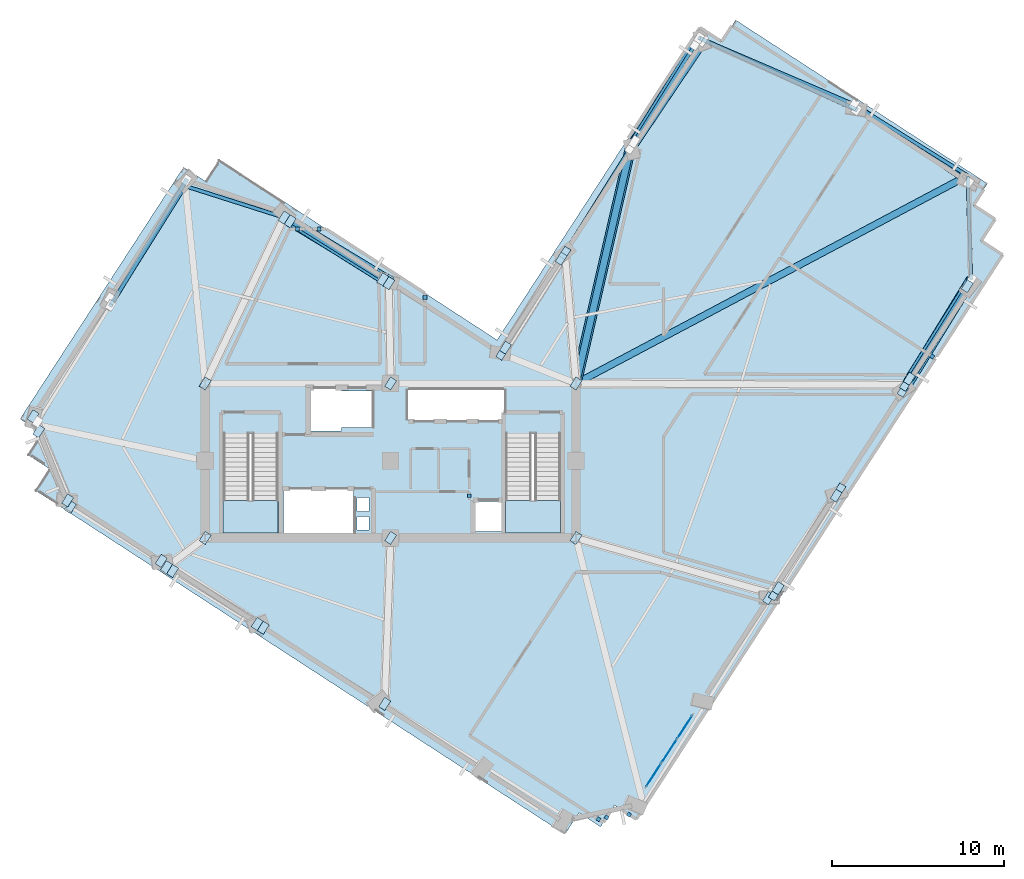
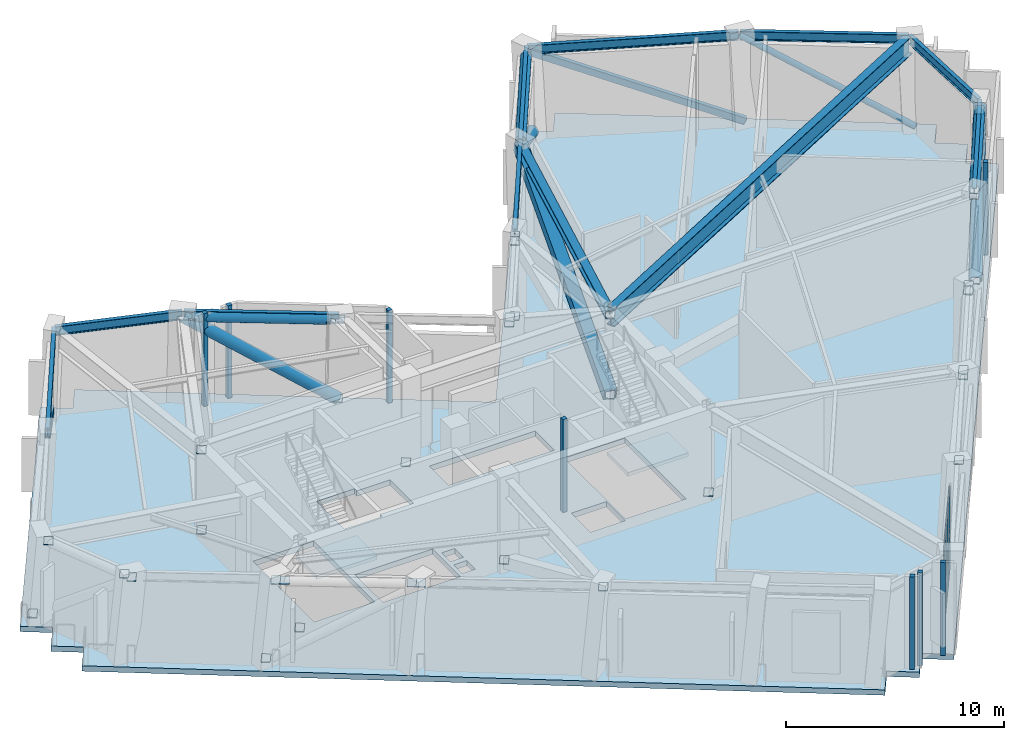
# One storey, part 3 of 11: 51 plates, 11 members, 10 beams, 3 slabs, 3 elements without a shape of their own.
"""IFC4 building model written with IfcOpenShell, lengths in metres."""

from ifc_helpers import new_model, si_unit, direction, frame, origin, origin_2d, place, context, subcontext, project, spatial, polyline, rectangle, hollow_rectangle, hollow_circle, i_section, outline, extrude, material, layer, layer_set, material_profile, profile_set, type_object, element, aggregate, save


model = new_model("IFC4")

# Units and contexts
model_context = context("Model", 3, precision=1e-05, world=origin(), true_north=direction((0.0, 1.0)))
body_context = subcontext(model_context, "Body", "Model", "MODEL_VIEW")
ifc_project = project(units=[si_unit("LENGTHUNIT", "METRE"), si_unit("AREAUNIT", "SQUARE_METRE"), si_unit("VOLUMEUNIT", "CUBIC_METRE"), si_unit("PLANEANGLEUNIT", "RADIAN"), si_unit("MASSUNIT", "GRAM", prefix="KILO")], contexts=[model_context])

# Site, building, storey
site_placement = place(None, origin())
site = spatial("IfcSite", under=ifc_project, at=site_placement, CompositionType="ELEMENT")
building_placement = place(site_placement, origin())
building = spatial("IfcBuilding", under=site, at=building_placement, Name="Gaonmaruhae Medical Tower", CompositionType="ELEMENT")
storey_placement = place(building_placement, frame((0.0, 0.0, 267.199951171875)))
storey = spatial("IfcBuildingStorey", under=building, at=storey_placement, Name="L64", CompositionType="ELEMENT", Elevation=267.199951171875)

# Beam
ifc_material_1 = material(Name="Steel SM420", Category="steel")
ifc_material_profile_1 = material_profile(ifc_material_1, i_section(OverallWidth=0.39990234375, OverallDepth=1.0, WebThickness=0.02197265625, FlangeThickness=0.035888671875, at=origin_2d()), Name="BH-1000x400x22x36")
ifc_profile_set_1 = profile_set([ifc_material_profile_1], Name="Steel SM420")
beam_type_1 = type_object("IfcBeamType", Name="BG-02 Refuge Floor Primary Girder (BH-1000x400x22x36)", PredefinedType="BEAM", material=ifc_profile_set_1)
beam_1_placement = place(storey_placement, frame((35.64404296875, 16.823486328125, 4.679931640625), z_axis=(0.883273796423, 0.468857548251, 0.0), x_axis=(-0.468857548251, 0.883273796423, 0.0)))
element("IfcBeam", 1, at=beam_1_placement, inside=storey, type_object=beam_type_1, Name="L64 Radial Primary Girder E01", PredefinedType="BEAM", context=body_context, shape_type="SweptSolid", body=[
    extrude(i_section(OverallWidth=0.39990234375, OverallDepth=1.0, WebThickness=0.02197265625, FlangeThickness=0.035888671875, at=origin_2d()), origin(), (0.0, 0.0, 1.0), 25.7275390625),
])

# Members
ifc_material_2 = material(Name="Steel HSA650 (650 MPa)", Category="steel")
ifc_material_profile_2 = material_profile(ifc_material_2, hollow_circle(Radius=0.25390625, WallThickness=0.01611328125, at=origin_2d()), Name="CHS-508.0x16.0")
ifc_profile_set_2 = profile_set([ifc_material_profile_2], Name="Steel HSA650 (650 MPa)")
member_type_1 = type_object("IfcMemberType", Name="BT-C1 Belt Truss Perimeter Chord (CHS-508.0x16.0)", PredefinedType="CHORD", material=ifc_profile_set_2)
member_1_placement = place(storey_placement, frame((55.0166015625, 17.078125, 4.830078125), z_axis=(0.530661276733, 0.847583983671, 0.0), x_axis=(-0.847583983671, 0.530661276733, 0.0)))
element("IfcMember", 2, at=member_1_placement, inside=storey, type_object=member_type_1, Name="L64 Belt Truss Top Chord BTC02", PredefinedType="CHORD", context=body_context, shape_type="SweptSolid", body=[
    extrude(hollow_circle(Radius=0.25390625, WallThickness=0.01611328125, at=origin_2d()), origin(), (0.0, 0.0, 1.0), 6.360107421875),
])
member_2_placement = place(storey_placement, frame((42.560791015625, 36.568603515625, 4.830078125), z_axis=(-0.53064309286, -0.847595368086, 0.0), x_axis=(0.847595368086, -0.53064309286, 0.0)))
element("IfcMember", 3, at=member_2_placement, inside=storey, type_object=member_type_1, Name="L64 Belt Truss Top Chord BTC03", PredefinedType="CHORD", context=body_context, shape_type="SweptSolid", body=[
    extrude(hollow_circle(Radius=0.25390625, WallThickness=0.01611328125, at=origin_2d()), origin(), (0.0, 0.0, 1.0), 6.7099609375),
])
member_3_placement = place(storey_placement, frame((24.34375, 22.867431640625, 4.830078125), z_axis=(-0.847583983671, 0.530661276733, 0.0), x_axis=(-0.530661276733, -0.847583983671, 0.0)))
element("IfcMember", 4, at=member_3_placement, inside=storey, type_object=member_type_1, Name="L64 Belt Truss Top Chord BTC05", PredefinedType="CHORD", context=body_context, shape_type="SweptSolid", body=[
    extrude(hollow_circle(Radius=0.25390625, WallThickness=0.01611328125, at=origin_2d()), origin(), (0.0, 0.0, 1.0), 6.360107421875),
])
ifc_material_profile_3 = material_profile(ifc_material_2, hollow_circle(Radius=0.3046875, WallThickness=0.02197265625, at=origin_2d()), Name="CHS-609.6x22.0")
ifc_profile_set_3 = profile_set([ifc_material_profile_3], Name="Steel HSA650 (650 MPa)")
member_type_2 = type_object("IfcMemberType", Name="BT-D2 Belt Truss Diagonal Tubular (CHS-609.6x22.0)", PredefinedType="BRACE", material=ifc_profile_set_3)
member_4_placement = place(storey_placement, frame((54.65673828125, 16.371826171875, 0.35009765625), z_axis=(0.449938259019, 0.733595590903, 0.509306461847), x_axis=(-0.852438050722, 0.52282824109, 0.0)))
element("IfcMember", 5, at=member_4_placement, inside=storey, type_object=member_type_2, Name="L64 Belt Truss Diagonal BTD02", PredefinedType="BRACE", context=body_context, shape_type="SweptSolid", body=[
    extrude(hollow_circle(Radius=0.3046875, WallThickness=0.02197265625, at=origin_2d()), origin(), (0.0, 0.0, 1.0), 8.796142578125),
])
member_5_placement = place(storey_placement, frame((42.9833984375, 36.7705078125, 0.35009765625), z_axis=(-0.48005547089, -0.712810482984, 0.51131982185), x_axis=(0.829437233693, -0.558599924243, 0.0)))
element("IfcMember", 6, at=member_5_placement, inside=storey, type_object=member_type_2, Name="L64 Belt Truss Diagonal BTD03", PredefinedType="BRACE", context=body_context, shape_type="SweptSolid", body=[
    extrude(hollow_circle(Radius=0.3046875, WallThickness=0.02197265625, at=origin_2d()), origin(), (0.0, 0.0, 1.0), 8.76171875),
])
member_6_placement = place(storey_placement, frame((24.6650390625, 22.79248046875, 0.35009765625), z_axis=(-0.723307139701, 0.437796524227, 0.534004667613), x_axis=(-0.517807319841, -0.855497270317, 0.0)))
element("IfcMember", 7, at=member_6_placement, inside=storey, type_object=member_type_2, Name="L64 Belt Truss Diagonal BTD05", PredefinedType="BRACE", context=body_context, shape_type="SweptSolid", body=[
    extrude(hollow_circle(Radius=0.3046875, WallThickness=0.02197265625, at=origin_2d()), origin(), (0.0, 0.0, 1.0), 8.389404296875),
])
ifc_material_profile_4 = material_profile(ifc_material_2, i_section(OverallWidth=0.4169921875, OverallDepth=0.4580078125, WebThickness=0.030029296875, FlangeThickness=0.050048828125, FilletRadius=0.02197265625, at=origin_2d()), Name="H-458x417x30x50")
ifc_profile_set_4 = profile_set([ifc_material_profile_4], Name="Steel HSA650 (650 MPa)")
member_type_3 = type_object("IfcMemberType", Name="OT-C1 Outrigger Truss Chord (H-458x417x30x50)", PredefinedType="CHORD", material=ifc_profile_set_4)
member_7_placement = place(storey_placement, frame((35.60009765625, 16.800048828125, 4.830078125), z_axis=(0.225527715239, 0.974236752365, 0.0), x_axis=(-0.974236752365, 0.225527715239, 0.0)))
element("IfcMember", 8, at=member_7_placement, inside=storey, type_object=member_type_3, Name="L64 Outrigger Truss Chord OTC03", PredefinedType="CHORD", context=body_context, shape_type="SweptSolid", body=[
    extrude(i_section(OverallWidth=0.4169921875, OverallDepth=0.4580078125, WebThickness=0.030029296875, FlangeThickness=0.050048828125, FilletRadius=0.02197265625, at=origin_2d()), origin(), (0.0, 0.0, 1.0), 14.088134765625),
])
ifc_material_profile_5 = material_profile(ifc_material_2, hollow_rectangle(XDim=0.60009765625, YDim=0.60009765625, WallThickness=0.028076171875, at=origin_2d()), Name="RHS-600x600x28")
ifc_profile_set_5 = profile_set([ifc_material_profile_5], Name="Steel HSA650 (650 MPa)")
member_type_4 = type_object("IfcMemberType", Name="OT-D2 Outrigger Truss Diagonal Upper (RHS-600x600x28)", PredefinedType="BRACE", material=ifc_profile_set_5)
member_8_placement = place(storey_placement, frame((35.60009765625, 16.800048828125, 0.35009765625), z_axis=(0.214922549392, 0.928424456872, 0.30304508847), x_axis=(-0.974236752365, 0.225527715239, 0.0)))
element("IfcMember", 9, at=member_8_placement, inside=storey, type_object=member_type_4, Name="L64 Outrigger Truss Diagonal OTD03", PredefinedType="BRACE", context=body_context, shape_type="SweptSolid", body=[
    extrude(hollow_rectangle(XDim=0.60009765625, YDim=0.60009765625, WallThickness=0.028076171875, at=origin_2d()), origin(), (0.0, 0.0, 1.0), 14.783203125),
])
ifc_material_3 = material(Name="Steel SM355", Category="steel")
ifc_material_profile_6 = material_profile(ifc_material_3, hollow_circle(Radius=0.1591796875, WallThickness=0.01025390625, at=origin_2d()), Name="CHS-318.5x10.3")
ifc_profile_set_6 = profile_set([ifc_material_profile_6], Name="Steel SM355")
member_type_5 = type_object("IfcMemberType", Name="PB-03 Perimeter Solid-Bay Tube Brace Upper (CHS-318.5x10.3)", PredefinedType="BRACE", material=ifc_profile_set_6)
member_9_placement = place(storey_placement, frame((58.477294921875, 28.497314453125, 0.25), z_axis=(-0.714984737529, 0.487428980691, 0.501208353764), x_axis=(-0.56328900636, -0.826259944154, 0.0)))
element("IfcMember", 10, at=member_9_placement, inside=storey, type_object=member_type_5, Name="L64 Perimeter Tube Solid-Bay Brace E01-E02", PredefinedType="BRACE", context=body_context, shape_type="SweptSolid", body=[
    extrude(hollow_circle(Radius=0.1591796875, WallThickness=0.01025390625, at=origin_2d()), origin(), (0.0, 0.0, 1.0), 9.33740234375),
])

# Beams
ifc_material_profile_7 = material_profile(ifc_material_3, i_section(OverallWidth=0.199951171875, OverallDepth=0.5, WebThickness=0.010009765625, FlangeThickness=0.01611328125, FilletRadius=0.012939453125, at=origin_2d()), Name="H-500x200x10x16")
ifc_profile_set_7 = profile_set([ifc_material_profile_7], Name="Steel SM355")
beam_type_2 = type_object("IfcBeamType", Name="SP-02 Upper Perimeter Spandrel Beam (H-500x200x10x16)", PredefinedType="SPANDREL", material=ifc_profile_set_7)
beam_2_placement = place(storey_placement, frame((54.81494140625, 16.756103515625, 4.929931640625), z_axis=(0.530655279093, 0.847587738686, 0.0), x_axis=(-0.847587738686, 0.530655279093, 0.0)))
element("IfcBeam", 11, at=beam_2_placement, inside=storey, type_object=beam_type_2, Name="L64 Perimeter Spandrel Beam S05-S06", PredefinedType="SPANDREL", context=body_context, shape_type="SweptSolid", body=[
    extrude(i_section(OverallWidth=0.199951171875, OverallDepth=0.5, WebThickness=0.010009765625, FlangeThickness=0.01611328125, FilletRadius=0.012939453125, at=origin_2d()), origin(), (0.0, 0.0, 1.0), 7.1201171875),
])
beam_3_placement = place(storey_placement, frame((58.613037109375, 22.86474609375, 4.929931640625), z_axis=(-0.03315923019, 0.999450081521, 0.0), x_axis=(-0.999450081521, -0.03315923019, 0.0)))
element("IfcBeam", 12, at=beam_3_placement, inside=storey, type_object=beam_type_2, Name="L64 Perimeter Spandrel Beam S06-E01", PredefinedType="SPANDREL", context=body_context, shape_type="SweptSolid", body=[
    extrude(i_section(OverallWidth=0.199951171875, OverallDepth=0.5, WebThickness=0.010009765625, FlangeThickness=0.01611328125, FilletRadius=0.012939453125, at=origin_2d()), origin(), (0.0, 0.0, 1.0), 6.008056640625),
])
beam_4_placement = place(storey_placement, frame((58.378662109375, 28.9306640625, 4.929931640625), z_axis=(-0.847589425812, 0.530652584326, 0.0), x_axis=(-0.530652584326, -0.847589425812, 0.0)))
element("IfcBeam", 13, at=beam_4_placement, inside=storey, type_object=beam_type_2, Name="L64 Perimeter Spandrel Beam E01-E02", PredefinedType="SPANDREL", context=body_context, shape_type="SweptSolid", body=[
    extrude(i_section(OverallWidth=0.199951171875, OverallDepth=0.5, WebThickness=0.010009765625, FlangeThickness=0.01611328125, FilletRadius=0.012939453125, at=origin_2d()), origin(), (0.0, 0.0, 1.0), 7.719970703125),
])
beam_5_placement = place(storey_placement, frame((51.7646484375, 33.064208984375, 4.929931640625), z_axis=(-0.91872423801, 0.394899701814, 0.0), x_axis=(-0.394899701814, -0.91872423801, 0.0)))
element("IfcBeam", 14, at=beam_5_placement, inside=storey, type_object=beam_type_2, Name="L64 Perimeter Spandrel Beam E02-E03", PredefinedType="SPANDREL", context=body_context, shape_type="SweptSolid", body=[
    extrude(i_section(OverallWidth=0.199951171875, OverallDepth=0.5, WebThickness=0.010009765625, FlangeThickness=0.01611328125, FilletRadius=0.012939453125, at=origin_2d()), origin(), (0.0, 0.0, 1.0), 9.7353515625),
])
beam_6_placement = place(storey_placement, frame((42.762451171875, 36.890625, 4.929931640625), z_axis=(-0.530639226396, -0.847597788701, 0.0), x_axis=(0.847597788701, -0.530639226396, 0.0)))
element("IfcBeam", 15, at=beam_6_placement, inside=storey, type_object=beam_type_2, Name="L64 Perimeter Spandrel Beam E03-EN01", PredefinedType="SPANDREL", context=body_context, shape_type="SweptSolid", body=[
    extrude(i_section(OverallWidth=0.199951171875, OverallDepth=0.5, WebThickness=0.010009765625, FlangeThickness=0.01611328125, FilletRadius=0.012939453125, at=origin_2d()), origin(), (0.0, 0.0, 1.0), 7.469970703125),
])
for number, where, z_axis, x_axis, name in (
    (16, (38.756103515625, 30.491455078125, 4.929931640625), (-0.530655279093, -0.847587738686, 0.0), (0.847587738686, -0.530655279093, 0.0), "L64 Perimeter Spandrel Beam EN01-EN02"),
    (17, (24.665771484375, 22.665771484375, 4.929931640625), (-0.847587738686, 0.530655279093, 0.0), (-0.530655279093, -0.847587738686, 0.0), "L64 Perimeter Spandrel Beam NE01-NE02"),
):
    element("IfcBeam", number, at=place(storey_placement, frame(where, z_axis=z_axis, x_axis=x_axis)), inside=storey, type_object=beam_type_2, Name=name, PredefinedType="SPANDREL", context=body_context, shape_type="SweptSolid", body=[
        extrude(i_section(OverallWidth=0.199951171875, OverallDepth=0.5, WebThickness=0.010009765625, FlangeThickness=0.01611328125, FilletRadius=0.012939453125, at=origin_2d()), origin(), (0.0, 0.0, 1.0), 7.1201171875),
    ])
beam_7_placement = place(storey_placement, frame((18.558837890625, 26.4775390625, 4.929931640625), z_axis=(-0.952830495929, 0.303502958844, 0.0), x_axis=(-0.303502958844, -0.952830495929, 0.0)))
element("IfcBeam", 18, at=beam_7_placement, inside=storey, type_object=beam_type_2, Name="L64 Perimeter Spandrel Beam NE02-N01", PredefinedType="SPANDREL", context=body_context, shape_type="SweptSolid", body=[
    extrude(i_section(OverallWidth=0.199951171875, OverallDepth=0.5, WebThickness=0.010009765625, FlangeThickness=0.01611328125, FilletRadius=0.012939453125, at=origin_2d()), origin(), (0.0, 0.0, 1.0), 5.958984375),
])
beam_8_placement = place(storey_placement, frame((12.821533203125, 28.264404296875, 4.929931640625), z_axis=(-0.53067442435, -0.847575751978, 0.0), x_axis=(0.847575751978, -0.53067442435, 0.0)))
element("IfcBeam", 19, at=beam_8_placement, inside=storey, type_object=beam_type_2, Name="L64 Perimeter Spandrel Beam N01-N02", PredefinedType="SPANDREL", context=body_context, shape_type="SweptSolid", body=[
    extrude(i_section(OverallWidth=0.199951171875, OverallDepth=0.5, WebThickness=0.010009765625, FlangeThickness=0.01611328125, FilletRadius=0.012939453125, at=origin_2d()), origin(), (0.0, 0.0, 1.0), 8.1201171875),
])

# Members
ifc_material_profile_8 = material_profile(ifc_material_3, hollow_rectangle(XDim=0.25, YDim=0.35009765625, WallThickness=0.011962890625, at=origin_2d()), Name="RHS-350x250x12")
ifc_profile_set_8 = profile_set([ifc_material_profile_8], Name="Steel SM355")
member_type_6 = type_object("IfcMemberType", Name="ST-M2 Refuge Core Bracing Strut (RHS-350x250x12)", PredefinedType="STRUT", material=ifc_profile_set_8)
member_10_placement = place(storey_placement, frame((51.935546875, 32.74560546875, 0.300048828125), z_axis=(-0.827901091171, 0.378039347425, 0.414326000917), x_axis=(-0.415369180861, -0.909652924797, 0.0)))
element("IfcMember", 20, at=member_10_placement, inside=storey, type_object=member_type_6, Name="L64 Refuge Solid-Bay Bracing Strut 1", PredefinedType="STRUT", context=body_context, shape_type="SweptSolid", body=[
    extrude(hollow_rectangle(XDim=0.25, YDim=0.35009765625, WallThickness=0.011962890625, at=origin_2d()), origin(), (0.0, 0.0, 1.0), 11.05419921875),
])
member_11_placement = place(storey_placement, frame((12.903564453125, 28.641845703125, 0.300048828125), z_axis=(-0.455963619733, -0.753716214216, 0.473295939036), x_axis=(0.855617244122, -0.51760905282, 0.0)))
element("IfcMember", 21, at=member_11_placement, inside=storey, type_object=member_type_6, Name="L64 Refuge Solid-Bay Bracing Strut 2", PredefinedType="STRUT", context=body_context, shape_type="SweptSolid", body=[
    extrude(hollow_rectangle(XDim=0.25, YDim=0.35009765625, WallThickness=0.011962890625, at=origin_2d()), origin(), (0.0, 0.0, 1.0), 9.677001953125),
])

# Curtain wall, plates
ifc_material_4 = material(Name="Anodised aluminium and Low-E double glazing", Category="aluminium")
curtain_wall_type = type_object("IfcCurtainWallType", Name="CW-S2 Express Sky Lobby Feature Curtain Wall", PredefinedType="NOTDEFINED", material=ifc_material_4)
curtain_wall_placement = place(storey_placement, origin())
curtain_wall = element("IfcCurtainWall", 22, at=curtain_wall_placement, inside=storey, type_object=curtain_wall_type, Name="L64 Curtain Wall CW-L64-S01", PredefinedType="NOTDEFINED")
ifc_material_5 = material(Name="Low-E double solar glass", Category="glass")
ifc_layer_1 = layer(ifc_material_5, 0.028076171875)
ifc_layer_set_1 = layer_set([ifc_layer_1], Name="Low-E double solar glass")
plate_type_1 = type_object("IfcPlateType", Name="CWP-V1 Low-E Double Vision Glazing Panel", PredefinedType="CURTAIN_PANEL", material=ifc_layer_set_1)
plate_1_placement = place(storey_placement, frame((41.9375, -3.214111328125, 0.06494140625), z_axis=(0.0, 0.0, 1.0), x_axis=(-0.544643231876, -0.838667842457, 0.0)))
plate_1 = element("IfcPlate", 23, at=plate_1_placement, type_object=plate_type_1, Name="CW-S2 panel 1.1", PredefinedType="CURTAIN_PANEL", context=body_context, shape_type="SweptSolid", body=[
    extrude(rectangle(XDim=1.571533203125, YDim=0.028076171875, at=origin_2d()), origin(), (0.0, 0.0, 1.0), 2.235107421875),
])
plate_2_placement = place(storey_placement, frame((41.9375, -3.214111328125, 2.365234375), z_axis=(0.0, 0.0, 1.0), x_axis=(-0.544643231876, -0.838667842457, 0.0)))
plate_2 = element("IfcPlate", 24, at=plate_2_placement, type_object=plate_type_1, Name="CW-S2 panel 1.2", PredefinedType="CURTAIN_PANEL", context=body_context, shape_type="SweptSolid", body=[
    extrude(rectangle(XDim=1.571533203125, YDim=0.028076171875, at=origin_2d()), origin(), (0.0, 0.0, 1.0), 2.235107421875),
])
plate_3_placement = place(storey_placement, frame((41.030517578125, -4.610595703125, 0.06494140625), z_axis=(0.0, 0.0, 1.0), x_axis=(-0.544643231876, -0.838667842457, 0.0)))
plate_3 = element("IfcPlate", 25, at=plate_3_placement, type_object=plate_type_1, Name="CW-S2 panel 2.1", PredefinedType="CURTAIN_PANEL", context=body_context, shape_type="SweptSolid", body=[
    extrude(rectangle(XDim=1.609130859375, YDim=0.028076171875, at=origin_2d()), origin(), (0.0, 0.0, 1.0), 2.235107421875),
])
plate_4_placement = place(storey_placement, frame((41.030517578125, -4.610595703125, 2.365234375), z_axis=(0.0, 0.0, 1.0), x_axis=(-0.544643231876, -0.838667842457, 0.0)))
plate_4 = element("IfcPlate", 26, at=plate_4_placement, type_object=plate_type_1, Name="CW-S2 panel 2.2", PredefinedType="CURTAIN_PANEL", context=body_context, shape_type="SweptSolid", body=[
    extrude(rectangle(XDim=1.609130859375, YDim=0.028076171875, at=origin_2d()), origin(), (0.0, 0.0, 1.0), 2.235107421875),
])
plate_5_placement = place(storey_placement, frame((40.12353515625, -6.00732421875, 0.06494140625), z_axis=(0.0, 0.0, 1.0), x_axis=(-0.544643231876, -0.838667842457, 0.0)))
plate_5 = element("IfcPlate", 27, at=plate_5_placement, type_object=plate_type_1, Name="CW-S2 panel 3.1", PredefinedType="CURTAIN_PANEL", context=body_context, shape_type="SweptSolid", body=[
    extrude(rectangle(XDim=1.571533203125, YDim=0.028076171875, at=origin_2d()), origin(), (0.0, 0.0, 1.0), 2.235107421875),
])
plate_6_placement = place(storey_placement, frame((40.12353515625, -6.00732421875, 2.365234375), z_axis=(0.0, 0.0, 1.0), x_axis=(-0.544643231876, -0.838667842457, 0.0)))
plate_6 = element("IfcPlate", 28, at=plate_6_placement, type_object=plate_type_1, Name="CW-S2 panel 3.2", PredefinedType="CURTAIN_PANEL", context=body_context, shape_type="SweptSolid", body=[
    extrude(rectangle(XDim=1.571533203125, YDim=0.028076171875, at=origin_2d()), origin(), (0.0, 0.0, 1.0), 2.235107421875),
])
aggregate(curtain_wall, [plate_1, plate_2, plate_3, plate_4, plate_5, plate_6])

# Slab
ifc_material_6 = material(Name="Concrete C40/50", Category="concrete")
ifc_layer_2 = layer(ifc_material_6, 0.300048828125)
ifc_layer_set_2 = layer_set([ifc_layer_2], Name="Concrete C40/50")
slab_type_1 = type_object("IfcSlabType", Name="FS-300 Refuge & Plant Heavy Floor Slab", PredefinedType="FLOOR", material=ifc_layer_set_2)
slab_1_placement = place(storey_placement, frame((0.0, 0.0, -0.300048828125)))
element("IfcSlab", 29, at=slab_1_placement, inside=storey, type_object=slab_type_1, Name="L64 Structural Slab 1", PredefinedType="FLOOR", context=body_context, shape_type="SweptSolid", body=[
    extrude(outline(polyline([(39.105712890625, -8.58447265625), (60.45556640625, 24.29150390625), (59.197509765625, 25.1083984375), (60.014404296875, 26.3662109375), (58.756591796875, 27.183349609375), (59.573486328125, 28.44140625), (44.896728515625, 37.972412109375), (44.079833984375, 36.714599609375), (42.82177734375, 37.531494140625), (31.003173828125, 19.332275390625), (14.81689453125, 29.84375), (13.999755859375, 28.585693359375), (12.74169921875, 29.40283203125), (3.210693359375, 14.72607421875), (4.468505859375, 13.9091796875), (3.651611328125, 12.651123046875), (4.90966796875, 11.833984375), (4.0927734375, 10.576171875), (34.955810546875, -9.466552734375), (35.772705078125, -8.20849609375), (37.03076171875, -9.025634765625), (37.84765625, -7.767578125), (39.105712890625, -8.58447265625)]), holes=[polyline([(23.550048828125, 8.25), (22.85009765625, 8.25), (22.85009765625, 9.050048828125), (23.550048828125, 9.050048828125), (23.550048828125, 8.25)]), polyline([(31.425048828125, 9.925048828125), (31.425048828125, 8.175048828125), (29.574951171875, 8.175048828125), (29.574951171875, 9.925048828125), (31.425048828125, 9.925048828125)]), polyline([(22.64990234375, 10.625), (22.64990234375, 8.074951171875), (18.550048828125, 8.074951171875), (18.550048828125, 10.625), (22.64990234375, 10.625)]), polyline([(23.550048828125, 9.35009765625), (22.85009765625, 9.35009765625), (22.85009765625, 10.14990234375), (23.550048828125, 10.14990234375), (23.550048828125, 9.35009765625)]), polyline([(15.050048828125, 13.889892578125), (18.25, 13.889892578125), (18.25, 8.300048828125), (15.050048828125, 8.300048828125), (15.050048828125, 13.889892578125)]), polyline([(31.5, 13.889892578125), (34.699951171875, 13.889892578125), (34.699951171875, 8.300048828125), (31.5, 8.300048828125), (31.5, 13.889892578125)]), polyline([(21.949951171875, 14.22509765625), (21.949951171875, 14.02490234375), (19.949951171875, 14.02490234375), (19.949951171875, 16.574951171875), (21.949951171875, 16.574951171875), (21.949951171875, 16.375), (23.72509765625, 16.375), (23.72509765625, 14.22509765625), (21.949951171875, 14.22509765625)]), polyline([(31.425048828125, 16.425048828125), (31.425048828125, 14.675048828125), (25.824951171875, 14.675048828125), (25.824951171875, 16.425048828125), (31.425048828125, 16.425048828125)])]), origin(), (0.0, 0.0, 1.0), 0.300048828125),
])

# Plates
ifc_layer_3 = layer(ifc_material_2, 0.035888671875)
ifc_layer_set_3 = layer_set([ifc_layer_3], Name="Steel HSA650 (650 MPa)")
plate_type_2 = type_object("IfcPlateType", Name="GP-01 Outrigger Gusset & End Cap Plate", PredefinedType="USERDEFINED", material=ifc_layer_set_3)
for number, where, z_axis, x_axis, name in (
    (30, (35.60009765625, 7.800048828125, 0.33203125), (0.0, 0.0, 1.0), (0.544639035015, 0.838670567945, 0.0), "L64 Gusset Cap Plate PLT-L64-OTD01A"),
    (31, (47.152099609375, 4.51708984375, 4.81201171875), (0.0, 0.0, 1.0), (0.530659123936, 0.847585331506, 0.0), "L64 Gusset Cap Plate PLT-L64-OTD01B"),
    (32, (35.60009765625, 16.800048828125, 0.33203125), (0.0, 0.0, 1.0), (0.544639035015, 0.838670567945, 0.0), "L64 Gusset Cap Plate PLT-L64-OTD02A"),
    (33, (54.793701171875, 16.72216796875, 4.81201171875), (0.0, 0.0, 1.0), (0.530659123936, 0.847585331506, 0.0), "L64 Gusset Cap Plate PLT-L64-OTD02B"),
    (34, (35.60009765625, 16.800048828125, 4.81201171875), (0.0, 0.0, 1.0), (0.530659123936, 0.847585331506, 0.0), "L64 Gusset Cap Plate PLT-L64-OTC03A"),
    (35, (34.95654296875, 24.422607421875, 4.81201171875), (0.0, 0.0, 1.0), (0.530659123936, 0.847585331506, 0.0), "L64 Gusset Cap Plate PLT-L64-OTD04B"),
    (36, (24.800048828125, 16.800048828125, 0.33203125), (0.0, 0.0, 1.0), (0.544639035015, 0.838670567945, 0.0), "L64 Gusset Cap Plate PLT-L64-OTD05A"),
    (37, (24.69970703125, 22.64453125, 4.81201171875), (0.0, 0.0, 1.0), (0.530659123936, 0.847585331506, 0.0), "L64 Gusset Cap Plate PLT-L64-OTD05B"),
    (38, (14.0, 16.800048828125, 0.33203125), (0.0, 0.0, 1.0), (0.544639035015, 0.838670567945, 0.0), "L64 Gusset Cap Plate PLT-L64-OTD06A"),
    (39, (18.596923828125, 26.46533203125, 4.81201171875), (0.0, 0.0, 1.0), (0.530659123936, 0.847585331506, 0.0), "L64 Gusset Cap Plate PLT-L64-OTD06B"),
    (40, (14.0, 16.800048828125, 4.81201171875), (0.0, 0.0, 1.0), (0.530659123936, 0.847585331506, 0.0), "L64 Gusset Cap Plate PLT-L64-OTC06A"),
    (41, (14.0, 7.800048828125, 0.33203125), (0.0, 0.0, 1.0), (0.544639035015, 0.838670567945, 0.0), "L64 Gusset Cap Plate PLT-L64-OTD07A"),
    (42, (11.744140625, 6.097412109375, 4.81201171875), (0.0, 0.0, 1.0), (0.530659123936, 0.847585331506, 0.0), "L64 Gusset Cap Plate PLT-L64-OTD07B"),
    (43, (24.800048828125, 7.800048828125, 0.33203125), (0.0, 0.0, 1.0), (0.544639035015, 0.838670567945, 0.0), "L64 Gusset Cap Plate PLT-L64-OTD08A"),
    (44, (24.4580078125, -1.862548828125, 4.81201171875), (0.0, 0.0, 1.0), (0.530659123936, 0.847585331506, 0.0), "L64 Gusset Cap Plate PLT-L64-OTD08B"),
    (45, (46.81396484375, 4.295166015625, 0.33203125), (0.0, 0.0, 1.0), (0.544639035015, 0.838670567945, 0.0), "L64 Gusset Cap Plate PLT-L64-BTD01A"),
    (46, (50.972900390625, 10.61962890625, 4.81201171875), (0.0, 0.0, 1.0), (0.530659123936, 0.847585331506, 0.0), "L64 Gusset Cap Plate PLT-L64-BTD01B"),
    (47, (47.375, 4.873046875, 4.81201171875), (0.0, 0.0, 1.0), (0.530659123936, 0.847585331506, 0.0), "L64 Gusset Cap Plate PLT-L64-BTC01A"),
    (48, (50.75, 10.263671875, 4.81201171875), (0.0, 0.0, 1.0), (0.530659123936, 0.847585331506, 0.0), "L64 Gusset Cap Plate PLT-L64-BTC01B"),
    (49, (54.65673828125, 16.371826171875, 0.33203125), (0.0, 0.0, 1.0), (0.544639035015, 0.838670567945, 0.0), "L64 Gusset Cap Plate PLT-L64-BTD02A"),
    (50, (55.0166015625, 17.078125, 4.81201171875), (0.0, 0.0, 1.0), (0.530659123936, 0.847585331506, 0.0), "L64 Gusset Cap Plate PLT-L64-BTC02A"),
    (51, (58.3916015625, 22.46875, 4.81201171875), (0.0, 0.0, 1.0), (0.530659123936, 0.847585331506, 0.0), "L64 Gusset Cap Plate PLT-L64-BTC02B"),
    (52, (34.949951171875, 24.400146484375, 0.33203125), (0.0, 0.0, 1.0), (0.544639035015, 0.838670567945, 0.0), "L64 Gusset Cap Plate PLT-L64-BTD04A"),
    (53, (31.268310546875, 18.531982421875, 4.81201171875), (0.0, 0.0, 1.0), (0.530659123936, 0.847585331506, 0.0), "L64 Gusset Cap Plate PLT-L64-BTD04B"),
    (54, (34.733642578125, 24.066650390625, 4.81201171875), (0.0, 0.0, 1.0), (0.530659123936, 0.847585331506, 0.0), "L64 Gusset Cap Plate PLT-L64-BTC04A"),
    (55, (31.4912109375, 18.887939453125, 4.81201171875), (0.0, 0.0, 1.0), (0.530659123936, 0.847585331506, 0.0), "L64 Gusset Cap Plate PLT-L64-BTC04B"),
    (56, (24.6650390625, 22.79248046875, 0.33203125), (0.0, 0.0, 1.0), (0.544639035015, 0.838670567945, 0.0), "L64 Gusset Cap Plate PLT-L64-BTD05A"),
    (57, (24.34375, 22.867431640625, 4.81201171875), (0.0, 0.0, 1.0), (0.530659123936, 0.847585331506, 0.0), "L64 Gusset Cap Plate PLT-L64-BTC05A"),
    (58, (18.953125, 26.242431640625, 4.81201171875), (0.0, 0.0, 1.0), (0.530659123936, 0.847585331506, 0.0), "L64 Gusset Cap Plate PLT-L64-BTC05B"),
    (59, (3.971435546875, 14.8876953125, 0.33203125), (0.0, 0.0, 1.0), (0.544639035015, 0.838670567945, 0.0), "L64 Gusset Cap Plate PLT-L64-BTD06A"),
    (60, (6.150146484375, 9.599853515625, 4.81201171875), (0.0, 0.0, 1.0), (0.530659123936, 0.847585331506, 0.0), "L64 Gusset Cap Plate PLT-L64-BTD06B"),
    (61, (4.30224609375, 14.010498046875, 4.81201171875), (0.0, 0.0, 1.0), (0.530659123936, 0.847585331506, 0.0), "L64 Gusset Cap Plate PLT-L64-BTC06A"),
    (62, (5.98779296875, 9.987060546875, 4.81201171875), (0.0, 0.0, 1.0), (0.530659123936, 0.847585331506, 0.0), "L64 Gusset Cap Plate PLT-L64-BTC06B"),
    (63, (11.43701171875, 6.46240234375, 0.33203125), (0.0, 0.0, 1.0), (0.544639035015, 0.838670567945, 0.0), "L64 Gusset Cap Plate PLT-L64-BTD07A"),
    (64, (17.380615234375, 2.568603515625, 4.81201171875), (0.0, 0.0, 1.0), (0.530659123936, 0.847585331506, 0.0), "L64 Gusset Cap Plate PLT-L64-BTD07B"),
    (65, (12.10009765625, 5.87451171875, 4.81201171875), (0.0, 0.0, 1.0), (0.530659123936, 0.847585331506, 0.0), "L64 Gusset Cap Plate PLT-L64-BTC07A"),
    (66, (17.024658203125, 2.79150390625, 4.81201171875), (0.0, 0.0, 1.0), (0.530659123936, 0.847585331506, 0.0), "L64 Gusset Cap Plate PLT-L64-BTC07B"),
):
    element("IfcPlate", number, at=place(storey_placement, frame(where, z_axis=z_axis, x_axis=x_axis)), inside=storey, type_object=plate_type_2, Name=name, ObjectType="GUSSET_PLATE", PredefinedType="USERDEFINED", context=body_context, shape_type="SweptSolid", body=[
        extrude(rectangle(XDim=0.64990234375, YDim=0.419921875, at=origin_2d()), origin(), (0.0, 0.0, 1.0), 0.035888671875),
    ])
ifc_material_7 = material(Name="Anodised aluminium 6063-T6", Category="aluminium")
ifc_layer_4 = layer(ifc_material_7, 0.011962890625)
ifc_layer_set_4 = layer_set([ifc_layer_4], Name="Anodised aluminium 6063-T6")
plate_type_3 = type_object("IfcPlateType", Name="PP-01 Interior Partition Corner Stiffener Plate", PredefinedType="SHEET", material=ifc_layer_set_4)
for number, where, z_axis, x_axis, name in (
    (67, (29.3798828125, 10.260009765625, 0.0), (0.0, 0.0, 1.0), (0.0, -1.0, 0.0), "L64 Partition Corner Stiffener Plate PLT-L64-JGP-PW002"),
    (68, (19.373046875, 25.800048828125, 0.0), (0.0, 0.0, 1.0), (1.0, 0.0, 0.0), "L64 Partition Corner Stiffener Plate PLT-L64-JGP-PW013"),
    (69, (20.64453125, 25.800048828125, 0.0), (0.0, 0.0, 1.0), (1.0, 0.0, 0.0), "L64 Partition Corner Stiffener Plate PLT-L64-JGP-PW014"),
    (70, (26.800048828125, 21.802490234375, 0.0), (0.0, 0.0, 1.0), (0.0, -1.0, 0.0), "L64 Partition Corner Stiffener Plate PLT-L64-JGP-PW016"),
    (71, (56.3515625, 18.37158203125, 0.0), (0.0, 0.0, 1.0), (0.838708588879, -0.544580483437, 0.0), "L64 Partition Corner Stiffener Plate PLT-L64-JGP-PW021"),
    (72, (38.69140625, -8.31591796875, 0.0), (0.0, 0.0, 1.0), (-0.838832128682, 0.544390172478, 0.0), "L64 Partition Corner Stiffener Plate PLT-L64-JGP-PW031"),
    (73, (37.381591796875, -8.485595703125, 0.0), (0.0, 0.0, 1.0), (-0.544931753083, -0.838480401967, 0.0), "L64 Partition Corner Stiffener Plate PLT-L64-JGP-PW032"),
    (74, (36.906005859375, -8.5869140625, 0.0), (0.0, 0.0, 1.0), (-0.838708588879, 0.544580483437, 0.0), "L64 Partition Corner Stiffener Plate PLT-L64-JGP-PW033"),
):
    element("IfcPlate", number, at=place(storey_placement, frame(where, z_axis=z_axis, x_axis=x_axis)), inside=storey, type_object=plate_type_3, Name=name, PredefinedType="SHEET", context=body_context, shape_type="SweptSolid", body=[
        extrude(rectangle(XDim=0.219970703125, YDim=0.219970703125, at=origin_2d()), origin(), (0.0, 0.0, 1.0), 5.179931640625),
    ])

# Stair, slab
stair_type = type_object("IfcStairType", Name="ST-T1 Primary Core Escape Dogleg Stair", PredefinedType="TWO_QUARTER_TURN_STAIR", material=ifc_material_6)
stair_1_placement = place(storey_placement, origin())
stair_1 = element("IfcStair", 75, at=stair_1_placement, inside=storey, type_object=stair_type, Name="L64 Protected Escape Stair ST-01", PredefinedType="TWO_QUARTER_TURN_STAIR")
ifc_layer_5 = layer(ifc_material_6, 0.199951171875)
ifc_layer_set_5 = layer_set([ifc_layer_5], Name="Concrete C40/50")
slab_type_2 = type_object("IfcSlabType", Name="SL-200 Stair & Ramp Intermediate Concrete Landing", PredefinedType="LANDING", material=ifc_layer_set_5)
slab_2_placement = place(storey_placement, frame((0.0, 0.0, 2.5)))
slab_2 = element("IfcSlab", 76, at=slab_2_placement, type_object=slab_type_2, Name="ST-01 landing 1", PredefinedType="LANDING", context=body_context, shape_type="SweptSolid", body=[
    extrude(outline(polyline([(15.050048828125, 9.97998046875), (15.050048828125, 8.0791015625), (18.25, 8.0791015625), (18.25, 9.97998046875), (15.050048828125, 9.97998046875)])), origin(), (0.0, 0.0, 1.0), 0.199951171875),
])
aggregate(stair_1, [slab_2])

stair_2_placement = place(storey_placement, origin())
stair_2 = element("IfcStair", 77, at=stair_2_placement, inside=storey, type_object=stair_type, Name="L64 Protected Escape Stair ST-02", PredefinedType="TWO_QUARTER_TURN_STAIR")
slab_3_placement = place(storey_placement, frame((0.0, 0.0, 2.5)))
slab_3 = element("IfcSlab", 78, at=slab_3_placement, type_object=slab_type_2, Name="ST-02 landing 1", PredefinedType="LANDING", context=body_context, shape_type="SweptSolid", body=[
    extrude(outline(polyline([(31.5, 9.97998046875), (31.5, 8.0791015625), (34.699951171875, 8.0791015625), (34.699951171875, 9.97998046875), (31.5, 9.97998046875)])), origin(), (0.0, 0.0, 1.0), 0.199951171875),
])
aggregate(stair_2, [slab_3])

save(model, "model.ifc")
